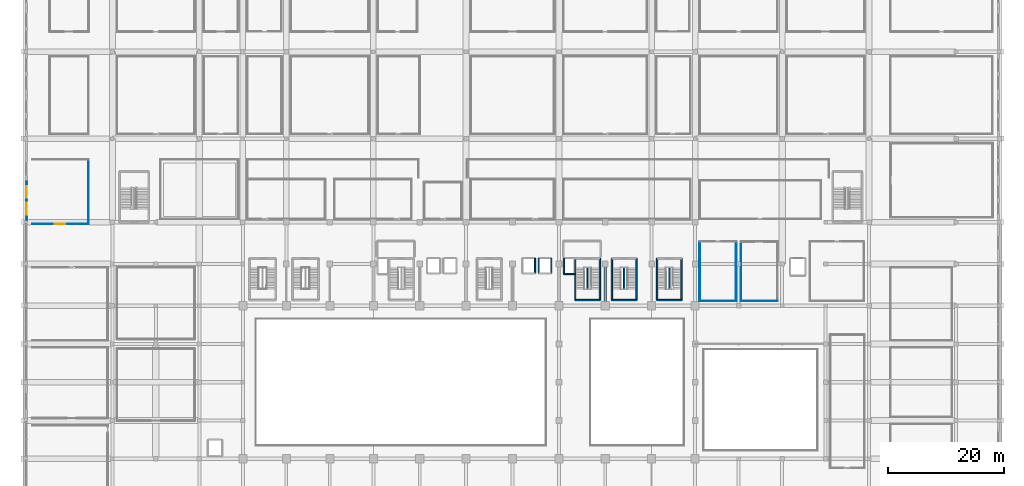
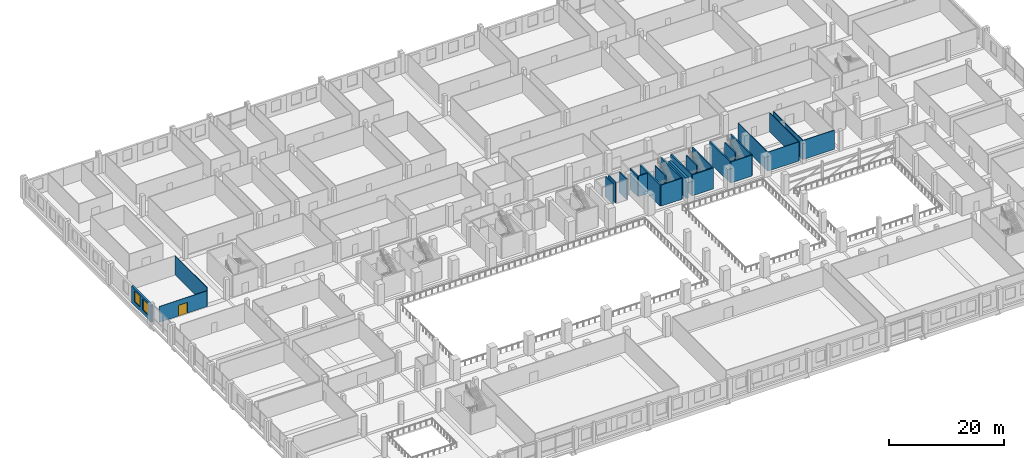
# One storey, part 43 of 64: 26 walls, 2 windows, 1 door, 3 openings.
"""IFC4 building model written with IfcOpenShell, lengths in metres."""

from ifc_helpers import new_model, si_unit, direction, frame, frame_2d, origin, place, context, subcontext, project, spatial, rectangle, extrude, material, layer, layer_set, type_object, element, fill, save


model = new_model("IFC4")

# Units and contexts
model_context = context("Model", 3, precision=1e-05, world=origin(), true_north=direction((0.0, 1.0)))
body_context = subcontext(model_context, "Body", "Model", "MODEL_VIEW")
ifc_project = project(units=[si_unit("LENGTHUNIT", "METRE"), si_unit("AREAUNIT", "SQUARE_METRE"), si_unit("VOLUMEUNIT", "CUBIC_METRE"), si_unit("PLANEANGLEUNIT", "RADIAN"), si_unit("MASSUNIT", "GRAM", prefix="KILO")], contexts=[model_context])

# Site, building, storey
site_placement = place(None, origin())
site = spatial("IfcSite", under=ifc_project, at=site_placement, CompositionType="ELEMENT")
building_placement = place(site_placement, origin())
building = spatial("IfcBuilding", under=site, at=building_placement, Name="Akrevak Sports Hall", CompositionType="ELEMENT")
storey_placement = place(building_placement, frame((0.0, 0.0, 4.60009765625)))
storey = spatial("IfcBuildingStorey", under=building, at=storey_placement, Name="L01", CompositionType="ELEMENT", Elevation=4.60009765625)

# Wall, openings, windows
ifc_material_1 = material(Name="Limestone Ashlar", Category="stone")
ifc_layer_1 = layer(ifc_material_1, 0.080078125, Name="Limestone Ashlar")
ifc_material_2 = material(Name="Mineral Wool Thermal Insulation", Category="insulation")
ifc_layer_2 = layer(ifc_material_2, 0.10009765625, Name="Mineral Wool Thermal Insulation")
ifc_material_3 = material(Name="Concrete C40/50", Category="concrete")
ifc_layer_3 = layer(ifc_material_3, 0.199951171875, Name="Concrete C40/50")
ifc_layer_set_1 = layer_set([ifc_layer_1, ifc_layer_2, ifc_layer_3], Name="Limestone Ashlar / Mineral Wool Thermal Insulation / Concrete C40/50")
wall_type_1 = type_object("IfcWallType", Name="ARC-WL-EXT-380", PredefinedType="SOLIDWALL", material=ifc_layer_set_1)
wall_1_placement = place(storey_placement, frame((0.18994140625, 76.800048828125, 0.0), z_axis=(0.0, 0.0, 1.0), x_axis=(0.0, -1.0, 0.0)))
wall_1 = element("IfcWall", 1, at=wall_1_placement, inside=storey, type_object=wall_type_1, Name="Exterior Limestone Wall L01-W09", PredefinedType="SOLIDWALL", context=body_context, shape_type="SweptSolid", body=[
    extrude(rectangle(XDim=6.875, YDim=0.3798828125, at=frame_2d((3.4375, 0.0))), origin(), (0.0, 0.0, 1.0), 3.64990234375),
])
opening_1_placement = place(wall_1_placement, frame((3.881103515625, 0.0, 0.919921875)))
opening_1 = element("IfcOpeningElement", 2, at=opening_1_placement, cuts=wall_1, Name="Opening WN-29", PredefinedType="OPENING", context=body_context, shape_type="SweptSolid", body=[
    extrude(rectangle(XDim=2.0, YDim=2.300048828125, at=frame_2d((1.0, 1.14990234375))), frame((0.0, 0.201904296875, 0.0), z_axis=(0.0, -1.0, 0.0), x_axis=(1.0, 0.0, 0.0)), (0.0, 0.0, 1.0), 0.40380859375),
])
opening_2_placement = place(wall_1_placement, frame((0.993896484375, 0.0, 0.919921875)))
opening_2 = element("IfcOpeningElement", 3, at=opening_2_placement, cuts=wall_1, Name="Opening WN-29", PredefinedType="OPENING", context=body_context, shape_type="SweptSolid", body=[
    extrude(rectangle(XDim=2.0, YDim=2.300048828125, at=frame_2d((1.0, 1.14990234375))), frame((0.0, 0.201904296875, 0.0), z_axis=(0.0, -1.0, 0.0), x_axis=(1.0, 0.0, 0.0)), (0.0, 0.0, 1.0), 0.40380859375),
])
ifc_material_4 = material(Name="Thermally Broken Bronze Frame & Double Low-E Glass", Category="glass")
window_type = type_object("IfcWindowType", Name="ARC-WIN-SZ-2000x2300", PartitioningType="SINGLE_PANEL", PredefinedType="WINDOW", material=ifc_material_4)
window_1_placement = place(opening_1_placement, origin())
window_1 = element("IfcWindow", 4, at=window_1_placement, inside=storey, type_object=window_type, Name="Beaux-Arts Facade Window WIN-L01-W09-1", OverallHeight=2.300048828125, OverallWidth=2.0, PartitioningType="SINGLE_PANEL", PredefinedType="WINDOW", context=body_context, shape_type="SweptSolid", body=[
    extrude(rectangle(XDim=2.0, YDim=2.300048828125, at=frame_2d((1.0, 1.14990234375))), frame((0.0, 0.030029296875, 0.0), z_axis=(0.0, -1.0, 0.0), x_axis=(1.0, 0.0, 0.0)), (0.0, 0.0, 1.0), 0.06005859375),
])
fill(opening_1, window_1)
window_2_placement = place(opening_2_placement, origin())
window_2 = element("IfcWindow", 5, at=window_2_placement, inside=storey, type_object=window_type, Name="Beaux-Arts Facade Window WIN-L01-W09-2", OverallHeight=2.300048828125, OverallWidth=2.0, PartitioningType="SINGLE_PANEL", PredefinedType="WINDOW", context=body_context, shape_type="SweptSolid", body=[
    extrude(rectangle(XDim=2.0, YDim=2.300048828125, at=frame_2d((1.0, 1.14990234375))), frame((0.0, 0.030029296875, 0.0), z_axis=(0.0, -1.0, 0.0), x_axis=(1.0, 0.0, 0.0)), (0.0, 0.0, 1.0), 0.06005859375),
])
fill(opening_2, window_2)

# Wall, opening, door
ifc_material_5 = material(Name="Sanitary Cubicle Partition", Category="gypsum")
ifc_layer_4 = layer(ifc_material_5, 0.10009765625, Name="Sanitary Cubicle Partition")
ifc_layer_set_2 = layer_set([ifc_layer_4], Name="Sanitary Cubicle Partition")
wall_type_2 = type_object("IfcWallType", Name="ARC-WL-PRT-100", PredefinedType="PARTITIONING", material=ifc_layer_set_2)
wall_2_placement = place(storey_placement, frame((1.199951171875, 69.300048828125, 0.0), z_axis=(0.0, 0.0, 1.0), x_axis=(1.0, 0.0, 0.0)))
wall_2 = element("IfcWall", 6, at=wall_2_placement, inside=storey, type_object=wall_type_2, Name="Interior Partition North-West Team Kit Storage L01 (S)", PredefinedType="PARTITIONING", context=body_context, shape_type="SweptSolid", body=[
    extrude(rectangle(XDim=9.699951171875, YDim=0.10009765625, at=frame_2d((4.85009765625, 0.0))), origin(), (0.0, 0.0, 1.0), 3.349853515625),
])
opening_3_placement = place(wall_2_placement, frame((3.89990234375, 0.0, 0.0)))
opening_3 = element("IfcOpeningElement", 7, at=opening_3_placement, cuts=wall_2, Name="Opening ID-02", PredefinedType="OPENING", context=body_context, shape_type="SweptSolid", body=[
    extrude(rectangle(XDim=1.800048828125, YDim=2.25, at=frame_2d((0.89990234375, 1.125))), frame((0.0, 0.06201171875, 0.0), z_axis=(0.0, -1.0, 0.0), x_axis=(1.0, 0.0, 0.0)), (0.0, 0.0, 1.0), 0.1240234375),
])
ifc_material_6 = material(Name="Hardwood Oak & Safety Glass", Category="wood")
door_type = type_object("IfcDoorType", Name="ARC-DR-HALL-180x225", OperationType="DOUBLE_DOOR_SINGLE_SWING", PredefinedType="DOOR", material=ifc_material_6)
door_placement = place(opening_3_placement, origin())
door = element("IfcDoor", 8, at=door_placement, inside=storey, type_object=door_type, Name="Door to North-West Team Kit Storage L01", OperationType="DOUBLE_DOOR_SINGLE_SWING", OverallHeight=2.25, OverallWidth=1.800048828125, PredefinedType="DOOR", context=body_context, shape_type="SweptSolid", body=[
    extrude(rectangle(XDim=1.800048828125, YDim=2.25, at=frame_2d((0.89990234375, 1.125))), frame((0.0, 0.02490234375, 0.0), z_axis=(0.0, -1.0, 0.0), x_axis=(1.0, 0.0, 0.0)), (0.0, 0.0, 1.0), 0.050048828125),
])
fill(opening_3, door)

# Walls
wall_3_placement = place(storey_placement, frame((10.89990234375, 69.300048828125, 0.0), z_axis=(0.0, 0.0, 1.0), x_axis=(0.0, 1.0, 0.0)))
element("IfcWall", 9, at=wall_3_placement, inside=storey, type_object=wall_type_2, Name="Interior Partition North-West Team Kit Storage L01 (E)", PredefinedType="PARTITIONING", context=body_context, shape_type="SweptSolid", body=[
    extrude(rectangle(XDim=11.099853515625, YDim=0.10009765625, at=frame_2d((5.5498046875, 0.0))), origin(), (0.0, 0.0, 1.0), 4.079833984375),
])
ifc_material_7 = material(Name="Acoustic Metal Stud Partition", Category="gypsum")
ifc_layer_5 = layer(ifc_material_7, 0.1298828125, Name="Acoustic Metal Stud Partition")
ifc_layer_set_3 = layer_set([ifc_layer_5], Name="Acoustic Metal Stud Partition")
wall_type_3 = type_object("IfcWallType", Name="ARC-WL-PRT-130", PredefinedType="PARTITIONING", material=ifc_layer_set_3)
wall_4_placement = place(storey_placement, frame((116.300048828125, 56.0, 0.0), z_axis=(0.0, 0.0, 1.0), x_axis=(1.0, 0.0, 0.0)))
element("IfcWall", 10, at=wall_4_placement, inside=storey, type_object=wall_type_3, Name="Interior Partition Scoreboard & Broadcast Office L01 (S)", PredefinedType="PARTITIONING", context=body_context, shape_type="SweptSolid", body=[
    extrude(rectangle(XDim=6.300048828125, YDim=0.1298828125, at=frame_2d((3.14990234375, 0.0))), origin(), (0.0, 0.0, 1.0), 4.079833984375),
])
for number, where, z_axis, x_axis, name in (
    (11, (116.300048828125, 56.0, 0.0), (0.0, 0.0, 1.0), (0.0, 1.0, 0.0), "Interior Partition Scoreboard & Broadcast Office L01 (W)"),
    (12, (122.60009765625, 56.0, 0.0), (0.0, 0.0, 1.0), (0.0, 1.0, 0.0), "Interior Partition Scoreboard & Broadcast Office L01 (E)"),
):
    element("IfcWall", number, at=place(storey_placement, frame(where, z_axis=z_axis, x_axis=x_axis)), inside=storey, type_object=wall_type_3, Name=name, PredefinedType="PARTITIONING", context=body_context, shape_type="SweptSolid", body=[
        extrude(rectangle(XDim=10.25, YDim=0.1298828125, at=frame_2d((5.125, 0.0))), origin(), (0.0, 0.0, 1.0), 4.079833984375),
    ])
ifc_material_8 = material(Name="Double Stud Acoustic Gypsum Partition", Category="gypsum")
ifc_layer_6 = layer(ifc_material_8, 0.14990234375, Name="Double Stud Acoustic Gypsum Partition")
ifc_layer_set_4 = layer_set([ifc_layer_6], Name="Double Stud Acoustic Gypsum Partition")
wall_type_4 = type_object("IfcWallType", Name="ARC-WL-PRT-150", PredefinedType="PARTITIONING", material=ifc_layer_set_4)
wall_5_placement = place(storey_placement, frame((123.39990234375, 56.0, 0.0), z_axis=(0.0, 0.0, 1.0), x_axis=(1.0, 0.0, 0.0)))
element("IfcWall", 13, at=wall_5_placement, inside=storey, type_object=wall_type_4, Name="Interior Partition Upper Apparatus Storage L01 (S)", PredefinedType="PARTITIONING", context=body_context, shape_type="SweptSolid", body=[
    extrude(rectangle(XDim=6.300048828125, YDim=0.14990234375, at=frame_2d((3.14990234375, 0.0))), origin(), (0.0, 0.0, 1.0), 4.079833984375),
])
wall_6_placement = place(storey_placement, frame((123.39990234375, 56.0, 0.0), z_axis=(0.0, 0.0, 1.0), x_axis=(0.0, 1.0, 0.0)))
element("IfcWall", 14, at=wall_6_placement, inside=storey, type_object=wall_type_4, Name="Interior Partition Upper Apparatus Storage L01 (W)", PredefinedType="PARTITIONING", context=body_context, shape_type="SweptSolid", body=[
    extrude(rectangle(XDim=10.25, YDim=0.14990234375, at=frame_2d((5.125, 0.0))), origin(), (0.0, 0.0, 1.0), 4.079833984375),
])
ifc_layer_7 = layer(ifc_material_3, 0.219970703125, Name="Concrete C40/50")
ifc_layer_set_5 = layer_set([ifc_layer_7], Name="Concrete C40/50")
wall_type_5 = type_object("IfcWallType", Name="ARC-WL-PRT-220", PredefinedType="PARTITIONING", material=ifc_layer_set_5)
for number, where, z_axis, x_axis, name in (
    (15, (96.949951171875, 58.094970703125, 0.0), (0.0, 0.0, 1.0), (0.0, 1.0, 0.0), "Stair ST2 Central Spine Wall (L01)"),
    (16, (103.25, 58.094970703125, 0.0), (0.0, 0.0, 1.0), (0.0, 1.0, 0.0), "Stair ST10 Central Spine Wall (L01)"),
    (17, (111.050048828125, 58.094970703125, 0.0), (0.0, 0.0, 1.0), (0.0, 1.0, 0.0), "Stair ST11 Central Spine Wall (L01)"),
):
    element("IfcWall", number, at=place(storey_placement, frame(where, z_axis=z_axis, x_axis=x_axis)), inside=storey, type_object=wall_type_5, Name=name, PredefinedType="PARTITIONING", context=body_context, shape_type="SweptSolid", body=[
        extrude(rectangle(XDim=3.64013671875, YDim=0.219970703125, at=frame_2d((1.820068359375, 0.0))), origin(), (0.0, 0.0, 1.0), 4.47998046875),
    ])
ifc_material_9 = material(Name="Concrete C50/60", Category="concrete")
ifc_layer_8 = layer(ifc_material_9, 0.219970703125, Name="Concrete C50/60")
ifc_layer_set_6 = layer_set([ifc_layer_8], Name="Concrete C50/60")
wall_type_6 = type_object("IfcWallType", Name="ARC-WL-SHAFT-220", PredefinedType="SHEAR", material=ifc_layer_set_6)
wall_7_placement = place(storey_placement, frame((92.860107421875, 60.659912109375, 0.0), z_axis=(0.0, 0.0, 1.0), x_axis=(1.0, 0.0, 0.0)))
element("IfcWall", 18, at=wall_7_placement, inside=storey, type_object=wall_type_6, Name="Lift Shaft LF-FF2 Wall S (L01)", PredefinedType="SHEAR", context=body_context, shape_type="SweptSolid", body=[
    extrude(rectangle(XDim=1.83984375, YDim=0.219970703125, at=frame_2d((0.919921875, 0.0))), origin(), (0.0, 0.0, 1.0), 4.349853515625),
])
wall_8_placement = place(storey_placement, frame((92.860107421875, 63.389892578125, 0.0), z_axis=(0.0, 0.0, 1.0), x_axis=(0.0, -1.0, 0.0)))
element("IfcWall", 19, at=wall_8_placement, inside=storey, type_object=wall_type_6, Name="Lift Shaft LF-FF2 Wall W (L01)", PredefinedType="SHEAR", context=body_context, shape_type="SweptSolid", body=[
    extrude(rectangle(XDim=2.72998046875, YDim=0.219970703125, at=frame_2d((1.364990234375, 0.0))), origin(), (0.0, 0.0, 1.0), 4.349853515625),
])
for number, where, z_axis, x_axis, name in (
    (20, (87.889892578125, 60.81005859375, 0.0), (0.0, 0.0, 1.0), (0.0, 1.0, 0.0), "Lift Shaft LF-P3 Wall E (L01)"),
    (21, (88.510009765625, 63.389892578125, 0.0), (0.0, 0.0, 1.0), (0.0, -1.0, 0.0), "Lift Shaft LF-P4 Wall W (L01)"),
    (22, (90.68994140625, 60.81005859375, 0.0), (0.0, 0.0, 1.0), (0.0, 1.0, 0.0), "Lift Shaft LF-P4 Wall E (L01)"),
):
    element("IfcWall", number, at=place(storey_placement, frame(where, z_axis=z_axis, x_axis=x_axis)), inside=storey, type_object=wall_type_6, Name=name, PredefinedType="SHEAR", context=body_context, shape_type="SweptSolid", body=[
        extrude(rectangle(XDim=2.579833984375, YDim=0.219970703125, at=frame_2d((1.2900390625, 0.0))), origin(), (0.0, 0.0, 1.0), 4.349853515625),
    ])
ifc_layer_9 = layer(ifc_material_9, 0.5, Name="Concrete C50/60")
ifc_layer_set_7 = layer_set([ifc_layer_9], Name="Concrete C50/60")
wall_type_7 = type_object("IfcWallType", Name="STR-WL-CORE-500", PredefinedType="SHEAR", material=ifc_layer_set_7)
wall_9_placement = place(storey_placement, frame((100.0, 55.89990234375, 0.0), z_axis=(0.0, 0.0, 1.0), x_axis=(0.0, 1.0, 0.0)))
element("IfcWall", 23, at=wall_9_placement, inside=storey, type_object=wall_type_7, Name="Reinforced Concrete Shear Wall SW-E2 (L01)", PredefinedType="SHEAR", context=body_context, shape_type="SweptSolid", body=[
    extrude(rectangle(XDim=6.0, YDim=0.5, at=frame_2d((3.0, 0.0))), origin(), (0.0, 0.0, 1.0), 4.349853515625),
])
ifc_layer_10 = layer(ifc_material_9, 0.25, Name="Concrete C50/60")
ifc_layer_set_8 = layer_set([ifc_layer_10], Name="Concrete C50/60")
wall_type_8 = type_object("IfcWallType", Name="STR-WL-STAIR-250", PredefinedType="SHEAR", material=ifc_layer_set_8)
wall_10_placement = place(storey_placement, frame((94.824951171875, 56.175048828125, 0.0), z_axis=(0.0, 0.0, 1.0), x_axis=(1.0, 0.0, 0.0)))
element("IfcWall", 24, at=wall_10_placement, inside=storey, type_object=wall_type_8, Name="Stair Core ST2 Shear Wall S (L01)", PredefinedType="SHEAR", context=body_context, shape_type="SweptSolid", body=[
    extrude(rectangle(XDim=4.25, YDim=0.25, at=frame_2d((2.125, 0.0))), origin(), (0.0, 0.0, 1.0), 4.47998046875),
])
wall_11_placement = place(storey_placement, frame((94.824951171875, 63.25, 0.0), z_axis=(0.0, 0.0, 1.0), x_axis=(0.0, -1.0, 0.0)))
element("IfcWall", 25, at=wall_11_placement, inside=storey, type_object=wall_type_8, Name="Stair Core ST2 Shear Wall W (L01)", PredefinedType="SHEAR", context=body_context, shape_type="SweptSolid", body=[
    extrude(rectangle(XDim=7.074951171875, YDim=0.25, at=frame_2d((3.53759765625, 0.0))), origin(), (0.0, 0.0, 1.0), 4.47998046875),
])
wall_12_placement = place(storey_placement, frame((99.074951171875, 56.175048828125, 0.0), z_axis=(0.0, 0.0, 1.0), x_axis=(0.0, 1.0, 0.0)))
element("IfcWall", 26, at=wall_12_placement, inside=storey, type_object=wall_type_8, Name="Stair Core ST2 Shear Wall E (L01)", PredefinedType="SHEAR", context=body_context, shape_type="SweptSolid", body=[
    extrude(rectangle(XDim=7.199951171875, YDim=0.25, at=frame_2d((3.60009765625, 0.0))), origin(), (0.0, 0.0, 1.0), 4.47998046875),
])
wall_13_placement = place(storey_placement, frame((101.125, 56.175048828125, 0.0), z_axis=(0.0, 0.0, 1.0), x_axis=(1.0, 0.0, 0.0)))
element("IfcWall", 27, at=wall_13_placement, inside=storey, type_object=wall_type_8, Name="Stair Core ST10 Shear Wall S (L01)", PredefinedType="SHEAR", context=body_context, shape_type="SweptSolid", body=[
    extrude(rectangle(XDim=4.25, YDim=0.25, at=frame_2d((2.125, 0.0))), origin(), (0.0, 0.0, 1.0), 4.47998046875),
])
for number, where, z_axis, x_axis, name in (
    (28, (101.125, 63.375, 0.0), (0.0, 0.0, 1.0), (0.0, -1.0, 0.0), "Stair Core ST10 Shear Wall W (L01)"),
    (29, (105.375, 56.175048828125, 0.0), (0.0, 0.0, 1.0), (0.0, 1.0, 0.0), "Stair Core ST10 Shear Wall E (L01)"),
):
    element("IfcWall", number, at=place(storey_placement, frame(where, z_axis=z_axis, x_axis=x_axis)), inside=storey, type_object=wall_type_8, Name=name, PredefinedType="SHEAR", context=body_context, shape_type="SweptSolid", body=[
        extrude(rectangle(XDim=7.199951171875, YDim=0.25, at=frame_2d((3.60009765625, 0.0))), origin(), (0.0, 0.0, 1.0), 4.47998046875),
    ])
wall_14_placement = place(storey_placement, frame((108.925048828125, 56.175048828125, 0.0), z_axis=(0.0, 0.0, 1.0), x_axis=(1.0, 0.0, 0.0)))
element("IfcWall", 30, at=wall_14_placement, inside=storey, type_object=wall_type_8, Name="Stair Core ST11 Shear Wall S (L01)", PredefinedType="SHEAR", context=body_context, shape_type="SweptSolid", body=[
    extrude(rectangle(XDim=4.25, YDim=0.25, at=frame_2d((2.125, 0.0))), origin(), (0.0, 0.0, 1.0), 4.47998046875),
])
for number, where, z_axis, x_axis, name in (
    (31, (108.925048828125, 63.375, 0.0), (0.0, 0.0, 1.0), (0.0, -1.0, 0.0), "Stair Core ST11 Shear Wall W (L01)"),
    (32, (113.175048828125, 56.175048828125, 0.0), (0.0, 0.0, 1.0), (0.0, 1.0, 0.0), "Stair Core ST11 Shear Wall E (L01)"),
):
    element("IfcWall", number, at=place(storey_placement, frame(where, z_axis=z_axis, x_axis=x_axis)), inside=storey, type_object=wall_type_8, Name=name, PredefinedType="SHEAR", context=body_context, shape_type="SweptSolid", body=[
        extrude(rectangle(XDim=7.199951171875, YDim=0.25, at=frame_2d((3.60009765625, 0.0))), origin(), (0.0, 0.0, 1.0), 4.47998046875),
    ])

save(model, "model.ifc")
